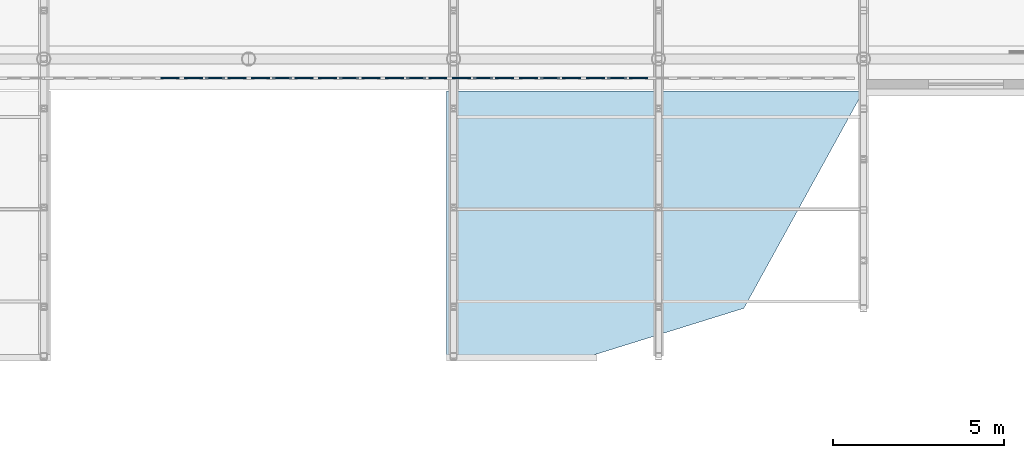
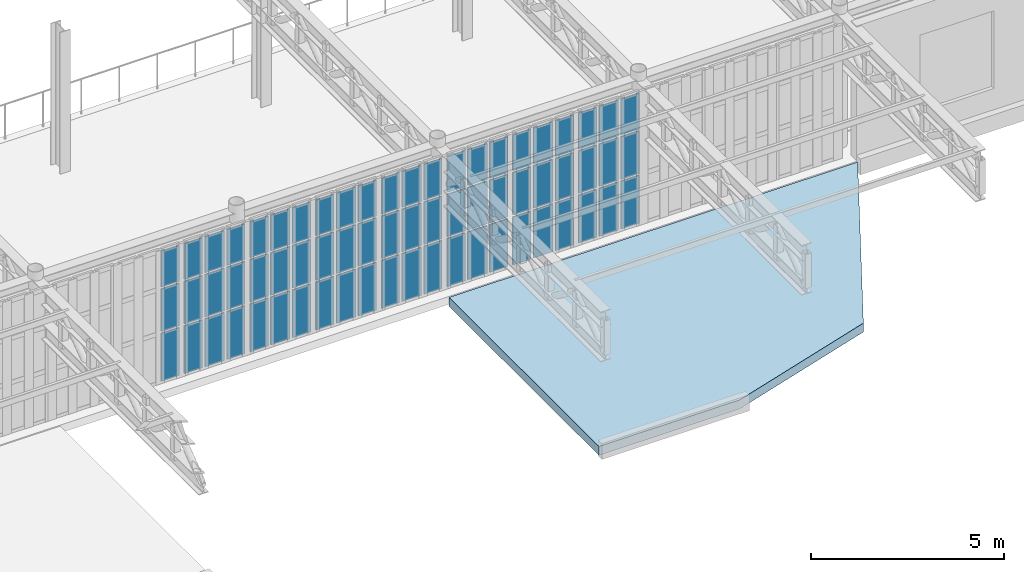
# One storey, part 50 of 91: 66 plates, 1 slab, 8 elements without a shape of their own.
"""IFC4 building model written with IfcOpenShell, lengths in metres."""

from ifc_helpers import new_model, si_unit, direction, frame, origin, origin_2d, place, context, subcontext, project, spatial, polyline, rectangle, outline, extrude, material, layer, layer_set, type_object, element, aggregate, save


model = new_model("IFC4")

# Units and contexts
model_context = context("Model", 3, precision=1e-05, world=origin(), true_north=direction((0.0, 1.0)))
body_context = subcontext(model_context, "Body", "Model", "MODEL_VIEW")
ifc_project = project(units=[si_unit("LENGTHUNIT", "METRE"), si_unit("AREAUNIT", "SQUARE_METRE"), si_unit("VOLUMEUNIT", "CUBIC_METRE"), si_unit("PLANEANGLEUNIT", "RADIAN"), si_unit("MASSUNIT", "GRAM", prefix="KILO")], contexts=[model_context])

# Site, building, storey
site_placement = place(None, origin())
site = spatial("IfcSite", under=ifc_project, at=site_placement, CompositionType="ELEMENT")
building_placement = place(site_placement, origin())
building = spatial("IfcBuilding", under=site, at=building_placement, Name="Kolvaren Corner Interchange", CompositionType="ELEMENT")
storey_placement = place(building_placement, frame((0.0, 0.0, 6.0)))
storey = spatial("IfcBuildingStorey", under=building, at=storey_placement, Name="L02", CompositionType="ELEMENT", Elevation=6.0)

# Curtain wall, plates
ifc_material_1 = material(Name="Unitised Aluminium and Solar-Control Glass Curtain Wall", Category="aluminium")
curtain_wall_type = type_object("IfcCurtainWallType", Name="CW-V1-MEZZ", PredefinedType="NOTDEFINED", material=ifc_material_1)
curtain_wall_1_placement = place(storey_placement, origin())
curtain_wall_1 = element("IfcCurtainWall", 1, at=curtain_wall_1_placement, inside=storey, type_object=curtain_wall_type, Name="South Portal Mezzanine Curtain Wall Bay 08", PredefinedType="NOTDEFINED")
ifc_material_2 = material(Name="Low-E Solar-Control Laminated Glass", Category="glass")
ifc_layer_1 = layer(ifc_material_2, 0.035888671875)
ifc_layer_set_1 = layer_set([ifc_layer_1], Name="Low-E Solar-Control Laminated Glass")
plate_type = type_object("IfcPlateType", Name="PLT-CW-GL32", PredefinedType="CURTAIN_PANEL", material=ifc_layer_set_1)
plate_1_placement = place(storey_placement, frame((87.693359375, 24.340087890625, 0.06005859375), z_axis=(0.0, 0.0, 1.0), x_axis=(1.0, 0.0, 0.0)))
plate_1 = element("IfcPlate", 2, at=plate_1_placement, type_object=plate_type, Name="CW-026 panel 3.1", PredefinedType="CURTAIN_PANEL", context=body_context, shape_type="SweptSolid", body=[
    extrude(rectangle(XDim=0.541259765625, YDim=0.035888671875, at=origin_2d()), origin(), (0.0, 0.0, 1.0), 1.510009765625),
])
plate_2_placement = place(storey_placement, frame((87.693359375, 24.340087890625, 1.6298828125), z_axis=(0.0, 0.0, 1.0), x_axis=(1.0, 0.0, 0.0)))
plate_2 = element("IfcPlate", 3, at=plate_2_placement, type_object=plate_type, Name="CW-026 panel 3.2", PredefinedType="CURTAIN_PANEL", context=body_context, shape_type="SweptSolid", body=[
    extrude(rectangle(XDim=0.541259765625, YDim=0.035888671875, at=origin_2d()), origin(), (0.0, 0.0, 1.0), 1.340087890625),
])
plate_3_placement = place(storey_placement, frame((87.693359375, 24.340087890625, 3.030029296875), z_axis=(0.0, 0.0, 1.0), x_axis=(1.0, 0.0, 0.0)))
plate_3 = element("IfcPlate", 4, at=plate_3_placement, type_object=plate_type, Name="CW-026 panel 3.3", PredefinedType="CURTAIN_PANEL", context=body_context, shape_type="SweptSolid", body=[
    extrude(rectangle(XDim=0.541259765625, YDim=0.035888671875, at=origin_2d()), origin(), (0.0, 0.0, 1.0), 1.1298828125),
])
aggregate(curtain_wall_1, [plate_1, plate_2, plate_3])

curtain_wall_2_placement = place(storey_placement, origin())
curtain_wall_2 = element("IfcCurtainWall", 5, at=curtain_wall_2_placement, inside=storey, type_object=curtain_wall_type, Name="South Portal Mezzanine Curtain Wall Bay 09", PredefinedType="NOTDEFINED")
plate_4_placement = place(storey_placement, frame((88.384521484375, 24.340087890625, 0.06005859375), z_axis=(0.0, 0.0, 1.0), x_axis=(1.0, 0.0, 0.0)))
plate_4 = element("IfcPlate", 6, at=plate_4_placement, type_object=plate_type, Name="CW-027 panel 1.1", PredefinedType="CURTAIN_PANEL", context=body_context, shape_type="SweptSolid", body=[
    extrude(rectangle(XDim=0.541259765625, YDim=0.035888671875, at=origin_2d()), origin(), (0.0, 0.0, 1.0), 1.510009765625),
])
plate_5_placement = place(storey_placement, frame((88.384521484375, 24.340087890625, 1.6298828125), z_axis=(0.0, 0.0, 1.0), x_axis=(1.0, 0.0, 0.0)))
plate_5 = element("IfcPlate", 7, at=plate_5_placement, type_object=plate_type, Name="CW-027 panel 1.2", PredefinedType="CURTAIN_PANEL", context=body_context, shape_type="SweptSolid", body=[
    extrude(rectangle(XDim=0.541259765625, YDim=0.035888671875, at=origin_2d()), origin(), (0.0, 0.0, 1.0), 1.340087890625),
])
plate_6_placement = place(storey_placement, frame((88.384521484375, 24.340087890625, 3.030029296875), z_axis=(0.0, 0.0, 1.0), x_axis=(1.0, 0.0, 0.0)))
plate_6 = element("IfcPlate", 8, at=plate_6_placement, type_object=plate_type, Name="CW-027 panel 1.3", PredefinedType="CURTAIN_PANEL", context=body_context, shape_type="SweptSolid", body=[
    extrude(rectangle(XDim=0.541259765625, YDim=0.035888671875, at=origin_2d()), origin(), (0.0, 0.0, 1.0), 1.1298828125),
])
plate_7_placement = place(storey_placement, frame((89.01953125, 24.340087890625, 0.06005859375), z_axis=(0.0, 0.0, 1.0), x_axis=(1.0, 0.0, 0.0)))
plate_7 = element("IfcPlate", 9, at=plate_7_placement, type_object=plate_type, Name="CW-027 panel 2.1", PredefinedType="CURTAIN_PANEL", context=body_context, shape_type="SweptSolid", body=[
    extrude(rectangle(XDim=0.57861328125, YDim=0.035888671875, at=origin_2d()), origin(), (0.0, 0.0, 1.0), 1.510009765625),
])
plate_8_placement = place(storey_placement, frame((89.01953125, 24.340087890625, 1.6298828125), z_axis=(0.0, 0.0, 1.0), x_axis=(1.0, 0.0, 0.0)))
plate_8 = element("IfcPlate", 10, at=plate_8_placement, type_object=plate_type, Name="CW-027 panel 2.2", PredefinedType="CURTAIN_PANEL", context=body_context, shape_type="SweptSolid", body=[
    extrude(rectangle(XDim=0.57861328125, YDim=0.035888671875, at=origin_2d()), origin(), (0.0, 0.0, 1.0), 1.340087890625),
])
plate_9_placement = place(storey_placement, frame((89.01953125, 24.340087890625, 3.030029296875), z_axis=(0.0, 0.0, 1.0), x_axis=(1.0, 0.0, 0.0)))
plate_9 = element("IfcPlate", 11, at=plate_9_placement, type_object=plate_type, Name="CW-027 panel 2.3", PredefinedType="CURTAIN_PANEL", context=body_context, shape_type="SweptSolid", body=[
    extrude(rectangle(XDim=0.57861328125, YDim=0.035888671875, at=origin_2d()), origin(), (0.0, 0.0, 1.0), 1.1298828125),
])
plate_10_placement = place(storey_placement, frame((89.654296875, 24.340087890625, 0.06005859375), z_axis=(0.0, 0.0, 1.0), x_axis=(1.0, 0.0, 0.0)))
plate_10 = element("IfcPlate", 12, at=plate_10_placement, type_object=plate_type, Name="CW-027 panel 3.1", PredefinedType="CURTAIN_PANEL", context=body_context, shape_type="SweptSolid", body=[
    extrude(rectangle(XDim=0.541259765625, YDim=0.035888671875, at=origin_2d()), origin(), (0.0, 0.0, 1.0), 1.510009765625),
])
plate_11_placement = place(storey_placement, frame((89.654296875, 24.340087890625, 1.6298828125), z_axis=(0.0, 0.0, 1.0), x_axis=(1.0, 0.0, 0.0)))
plate_11 = element("IfcPlate", 13, at=plate_11_placement, type_object=plate_type, Name="CW-027 panel 3.2", PredefinedType="CURTAIN_PANEL", context=body_context, shape_type="SweptSolid", body=[
    extrude(rectangle(XDim=0.541259765625, YDim=0.035888671875, at=origin_2d()), origin(), (0.0, 0.0, 1.0), 1.340087890625),
])
plate_12_placement = place(storey_placement, frame((89.654296875, 24.340087890625, 3.030029296875), z_axis=(0.0, 0.0, 1.0), x_axis=(1.0, 0.0, 0.0)))
plate_12 = element("IfcPlate", 14, at=plate_12_placement, type_object=plate_type, Name="CW-027 panel 3.3", PredefinedType="CURTAIN_PANEL", context=body_context, shape_type="SweptSolid", body=[
    extrude(rectangle(XDim=0.541259765625, YDim=0.035888671875, at=origin_2d()), origin(), (0.0, 0.0, 1.0), 1.1298828125),
])
aggregate(curtain_wall_2, [plate_4, plate_5, plate_6, plate_7, plate_8, plate_9, plate_10, plate_11, plate_12])

curtain_wall_3_placement = place(storey_placement, origin())
curtain_wall_3 = element("IfcCurtainWall", 15, at=curtain_wall_3_placement, inside=storey, type_object=curtain_wall_type, Name="South Portal Mezzanine Curtain Wall Bay 10", PredefinedType="NOTDEFINED")
plate_13_placement = place(storey_placement, frame((90.345703125, 24.340087890625, 0.06005859375), z_axis=(0.0, 0.0, 1.0), x_axis=(1.0, 0.0, 0.0)))
plate_13 = element("IfcPlate", 16, at=plate_13_placement, type_object=plate_type, Name="CW-028 panel 1.1", PredefinedType="CURTAIN_PANEL", context=body_context, shape_type="SweptSolid", body=[
    extrude(rectangle(XDim=0.541259765625, YDim=0.035888671875, at=origin_2d()), origin(), (0.0, 0.0, 1.0), 1.510009765625),
])
plate_14_placement = place(storey_placement, frame((90.345703125, 24.340087890625, 1.6298828125), z_axis=(0.0, 0.0, 1.0), x_axis=(1.0, 0.0, 0.0)))
plate_14 = element("IfcPlate", 17, at=plate_14_placement, type_object=plate_type, Name="CW-028 panel 1.2", PredefinedType="CURTAIN_PANEL", context=body_context, shape_type="SweptSolid", body=[
    extrude(rectangle(XDim=0.541259765625, YDim=0.035888671875, at=origin_2d()), origin(), (0.0, 0.0, 1.0), 1.340087890625),
])
plate_15_placement = place(storey_placement, frame((90.345703125, 24.340087890625, 3.030029296875), z_axis=(0.0, 0.0, 1.0), x_axis=(1.0, 0.0, 0.0)))
plate_15 = element("IfcPlate", 18, at=plate_15_placement, type_object=plate_type, Name="CW-028 panel 1.3", PredefinedType="CURTAIN_PANEL", context=body_context, shape_type="SweptSolid", body=[
    extrude(rectangle(XDim=0.541259765625, YDim=0.035888671875, at=origin_2d()), origin(), (0.0, 0.0, 1.0), 1.1298828125),
])
plate_16_placement = place(storey_placement, frame((90.98046875, 24.340087890625, 0.06005859375), z_axis=(0.0, 0.0, 1.0), x_axis=(1.0, 0.0, 0.0)))
plate_16 = element("IfcPlate", 19, at=plate_16_placement, type_object=plate_type, Name="CW-028 panel 2.1", PredefinedType="CURTAIN_PANEL", context=body_context, shape_type="SweptSolid", body=[
    extrude(rectangle(XDim=0.57861328125, YDim=0.035888671875, at=origin_2d()), origin(), (0.0, 0.0, 1.0), 1.510009765625),
])
plate_17_placement = place(storey_placement, frame((90.98046875, 24.340087890625, 1.6298828125), z_axis=(0.0, 0.0, 1.0), x_axis=(1.0, 0.0, 0.0)))
plate_17 = element("IfcPlate", 20, at=plate_17_placement, type_object=plate_type, Name="CW-028 panel 2.2", PredefinedType="CURTAIN_PANEL", context=body_context, shape_type="SweptSolid", body=[
    extrude(rectangle(XDim=0.57861328125, YDim=0.035888671875, at=origin_2d()), origin(), (0.0, 0.0, 1.0), 1.340087890625),
])
plate_18_placement = place(storey_placement, frame((90.98046875, 24.340087890625, 3.030029296875), z_axis=(0.0, 0.0, 1.0), x_axis=(1.0, 0.0, 0.0)))
plate_18 = element("IfcPlate", 21, at=plate_18_placement, type_object=plate_type, Name="CW-028 panel 2.3", PredefinedType="CURTAIN_PANEL", context=body_context, shape_type="SweptSolid", body=[
    extrude(rectangle(XDim=0.57861328125, YDim=0.035888671875, at=origin_2d()), origin(), (0.0, 0.0, 1.0), 1.1298828125),
])
plate_19_placement = place(storey_placement, frame((91.615478515625, 24.340087890625, 0.06005859375), z_axis=(0.0, 0.0, 1.0), x_axis=(1.0, 0.0, 0.0)))
plate_19 = element("IfcPlate", 22, at=plate_19_placement, type_object=plate_type, Name="CW-028 panel 3.1", PredefinedType="CURTAIN_PANEL", context=body_context, shape_type="SweptSolid", body=[
    extrude(rectangle(XDim=0.541259765625, YDim=0.035888671875, at=origin_2d()), origin(), (0.0, 0.0, 1.0), 1.510009765625),
])
plate_20_placement = place(storey_placement, frame((91.615478515625, 24.340087890625, 1.6298828125), z_axis=(0.0, 0.0, 1.0), x_axis=(1.0, 0.0, 0.0)))
plate_20 = element("IfcPlate", 23, at=plate_20_placement, type_object=plate_type, Name="CW-028 panel 3.2", PredefinedType="CURTAIN_PANEL", context=body_context, shape_type="SweptSolid", body=[
    extrude(rectangle(XDim=0.541259765625, YDim=0.035888671875, at=origin_2d()), origin(), (0.0, 0.0, 1.0), 1.340087890625),
])
plate_21_placement = place(storey_placement, frame((91.615478515625, 24.340087890625, 3.030029296875), z_axis=(0.0, 0.0, 1.0), x_axis=(1.0, 0.0, 0.0)))
plate_21 = element("IfcPlate", 24, at=plate_21_placement, type_object=plate_type, Name="CW-028 panel 3.3", PredefinedType="CURTAIN_PANEL", context=body_context, shape_type="SweptSolid", body=[
    extrude(rectangle(XDim=0.541259765625, YDim=0.035888671875, at=origin_2d()), origin(), (0.0, 0.0, 1.0), 1.1298828125),
])
aggregate(curtain_wall_3, [plate_13, plate_14, plate_15, plate_16, plate_17, plate_18, plate_19, plate_20, plate_21])

curtain_wall_4_placement = place(storey_placement, origin())
curtain_wall_4 = element("IfcCurtainWall", 25, at=curtain_wall_4_placement, inside=storey, type_object=curtain_wall_type, Name="South Portal Mezzanine Curtain Wall Bay 11", PredefinedType="NOTDEFINED")
plate_22_placement = place(storey_placement, frame((92.306640625, 24.340087890625, 0.06005859375), z_axis=(0.0, 0.0, 1.0), x_axis=(1.0, 0.0, 0.0)))
plate_22 = element("IfcPlate", 26, at=plate_22_placement, type_object=plate_type, Name="CW-029 panel 1.1", PredefinedType="CURTAIN_PANEL", context=body_context, shape_type="SweptSolid", body=[
    extrude(rectangle(XDim=0.541259765625, YDim=0.035888671875, at=origin_2d()), origin(), (0.0, 0.0, 1.0), 1.510009765625),
])
plate_23_placement = place(storey_placement, frame((92.306640625, 24.340087890625, 1.6298828125), z_axis=(0.0, 0.0, 1.0), x_axis=(1.0, 0.0, 0.0)))
plate_23 = element("IfcPlate", 27, at=plate_23_placement, type_object=plate_type, Name="CW-029 panel 1.2", PredefinedType="CURTAIN_PANEL", context=body_context, shape_type="SweptSolid", body=[
    extrude(rectangle(XDim=0.541259765625, YDim=0.035888671875, at=origin_2d()), origin(), (0.0, 0.0, 1.0), 1.340087890625),
])
plate_24_placement = place(storey_placement, frame((92.306640625, 24.340087890625, 3.030029296875), z_axis=(0.0, 0.0, 1.0), x_axis=(1.0, 0.0, 0.0)))
plate_24 = element("IfcPlate", 28, at=plate_24_placement, type_object=plate_type, Name="CW-029 panel 1.3", PredefinedType="CURTAIN_PANEL", context=body_context, shape_type="SweptSolid", body=[
    extrude(rectangle(XDim=0.541259765625, YDim=0.035888671875, at=origin_2d()), origin(), (0.0, 0.0, 1.0), 1.1298828125),
])
plate_25_placement = place(storey_placement, frame((92.941650390625, 24.340087890625, 0.06005859375), z_axis=(0.0, 0.0, 1.0), x_axis=(1.0, 0.0, 0.0)))
plate_25 = element("IfcPlate", 29, at=plate_25_placement, type_object=plate_type, Name="CW-029 panel 2.1", PredefinedType="CURTAIN_PANEL", context=body_context, shape_type="SweptSolid", body=[
    extrude(rectangle(XDim=0.57861328125, YDim=0.035888671875, at=origin_2d()), origin(), (0.0, 0.0, 1.0), 1.510009765625),
])
plate_26_placement = place(storey_placement, frame((92.941650390625, 24.340087890625, 1.6298828125), z_axis=(0.0, 0.0, 1.0), x_axis=(1.0, 0.0, 0.0)))
plate_26 = element("IfcPlate", 30, at=plate_26_placement, type_object=plate_type, Name="CW-029 panel 2.2", PredefinedType="CURTAIN_PANEL", context=body_context, shape_type="SweptSolid", body=[
    extrude(rectangle(XDim=0.57861328125, YDim=0.035888671875, at=origin_2d()), origin(), (0.0, 0.0, 1.0), 1.340087890625),
])
plate_27_placement = place(storey_placement, frame((92.941650390625, 24.340087890625, 3.030029296875), z_axis=(0.0, 0.0, 1.0), x_axis=(1.0, 0.0, 0.0)))
plate_27 = element("IfcPlate", 31, at=plate_27_placement, type_object=plate_type, Name="CW-029 panel 2.3", PredefinedType="CURTAIN_PANEL", context=body_context, shape_type="SweptSolid", body=[
    extrude(rectangle(XDim=0.57861328125, YDim=0.035888671875, at=origin_2d()), origin(), (0.0, 0.0, 1.0), 1.1298828125),
])
plate_28_placement = place(storey_placement, frame((93.57666015625, 24.340087890625, 0.06005859375), z_axis=(0.0, 0.0, 1.0), x_axis=(1.0, 0.0, 0.0)))
plate_28 = element("IfcPlate", 32, at=plate_28_placement, type_object=plate_type, Name="CW-029 panel 3.1", PredefinedType="CURTAIN_PANEL", context=body_context, shape_type="SweptSolid", body=[
    extrude(rectangle(XDim=0.541259765625, YDim=0.035888671875, at=origin_2d()), origin(), (0.0, 0.0, 1.0), 1.510009765625),
])
plate_29_placement = place(storey_placement, frame((93.57666015625, 24.340087890625, 1.6298828125), z_axis=(0.0, 0.0, 1.0), x_axis=(1.0, 0.0, 0.0)))
plate_29 = element("IfcPlate", 33, at=plate_29_placement, type_object=plate_type, Name="CW-029 panel 3.2", PredefinedType="CURTAIN_PANEL", context=body_context, shape_type="SweptSolid", body=[
    extrude(rectangle(XDim=0.541259765625, YDim=0.035888671875, at=origin_2d()), origin(), (0.0, 0.0, 1.0), 1.340087890625),
])
plate_30_placement = place(storey_placement, frame((93.57666015625, 24.340087890625, 3.030029296875), z_axis=(0.0, 0.0, 1.0), x_axis=(1.0, 0.0, 0.0)))
plate_30 = element("IfcPlate", 34, at=plate_30_placement, type_object=plate_type, Name="CW-029 panel 3.3", PredefinedType="CURTAIN_PANEL", context=body_context, shape_type="SweptSolid", body=[
    extrude(rectangle(XDim=0.541259765625, YDim=0.035888671875, at=origin_2d()), origin(), (0.0, 0.0, 1.0), 1.1298828125),
])
aggregate(curtain_wall_4, [plate_22, plate_23, plate_24, plate_25, plate_26, plate_27, plate_28, plate_29, plate_30])

curtain_wall_5_placement = place(storey_placement, origin())
curtain_wall_5 = element("IfcCurtainWall", 35, at=curtain_wall_5_placement, inside=storey, type_object=curtain_wall_type, Name="South Portal Mezzanine Curtain Wall Bay 12", PredefinedType="NOTDEFINED")
plate_31_placement = place(storey_placement, frame((94.267822265625, 24.340087890625, 0.06005859375), z_axis=(0.0, 0.0, 1.0), x_axis=(1.0, 0.0, 0.0)))
plate_31 = element("IfcPlate", 36, at=plate_31_placement, type_object=plate_type, Name="CW-030 panel 1.1", PredefinedType="CURTAIN_PANEL", context=body_context, shape_type="SweptSolid", body=[
    extrude(rectangle(XDim=0.541259765625, YDim=0.035888671875, at=origin_2d()), origin(), (0.0, 0.0, 1.0), 1.510009765625),
])
plate_32_placement = place(storey_placement, frame((94.267822265625, 24.340087890625, 1.6298828125), z_axis=(0.0, 0.0, 1.0), x_axis=(1.0, 0.0, 0.0)))
plate_32 = element("IfcPlate", 37, at=plate_32_placement, type_object=plate_type, Name="CW-030 panel 1.2", PredefinedType="CURTAIN_PANEL", context=body_context, shape_type="SweptSolid", body=[
    extrude(rectangle(XDim=0.541259765625, YDim=0.035888671875, at=origin_2d()), origin(), (0.0, 0.0, 1.0), 1.340087890625),
])
plate_33_placement = place(storey_placement, frame((94.267822265625, 24.340087890625, 3.030029296875), z_axis=(0.0, 0.0, 1.0), x_axis=(1.0, 0.0, 0.0)))
plate_33 = element("IfcPlate", 38, at=plate_33_placement, type_object=plate_type, Name="CW-030 panel 1.3", PredefinedType="CURTAIN_PANEL", context=body_context, shape_type="SweptSolid", body=[
    extrude(rectangle(XDim=0.541259765625, YDim=0.035888671875, at=origin_2d()), origin(), (0.0, 0.0, 1.0), 1.1298828125),
])
plate_34_placement = place(storey_placement, frame((94.90283203125, 24.340087890625, 0.06005859375), z_axis=(0.0, 0.0, 1.0), x_axis=(1.0, 0.0, 0.0)))
plate_34 = element("IfcPlate", 39, at=plate_34_placement, type_object=plate_type, Name="CW-030 panel 2.1", PredefinedType="CURTAIN_PANEL", context=body_context, shape_type="SweptSolid", body=[
    extrude(rectangle(XDim=0.57861328125, YDim=0.035888671875, at=origin_2d()), origin(), (0.0, 0.0, 1.0), 1.510009765625),
])
plate_35_placement = place(storey_placement, frame((94.90283203125, 24.340087890625, 1.6298828125), z_axis=(0.0, 0.0, 1.0), x_axis=(1.0, 0.0, 0.0)))
plate_35 = element("IfcPlate", 40, at=plate_35_placement, type_object=plate_type, Name="CW-030 panel 2.2", PredefinedType="CURTAIN_PANEL", context=body_context, shape_type="SweptSolid", body=[
    extrude(rectangle(XDim=0.57861328125, YDim=0.035888671875, at=origin_2d()), origin(), (0.0, 0.0, 1.0), 1.340087890625),
])
plate_36_placement = place(storey_placement, frame((94.90283203125, 24.340087890625, 3.030029296875), z_axis=(0.0, 0.0, 1.0), x_axis=(1.0, 0.0, 0.0)))
plate_36 = element("IfcPlate", 41, at=plate_36_placement, type_object=plate_type, Name="CW-030 panel 2.3", PredefinedType="CURTAIN_PANEL", context=body_context, shape_type="SweptSolid", body=[
    extrude(rectangle(XDim=0.57861328125, YDim=0.035888671875, at=origin_2d()), origin(), (0.0, 0.0, 1.0), 1.1298828125),
])
plate_37_placement = place(storey_placement, frame((95.53759765625, 24.340087890625, 0.06005859375), z_axis=(0.0, 0.0, 1.0), x_axis=(1.0, 0.0, 0.0)))
plate_37 = element("IfcPlate", 42, at=plate_37_placement, type_object=plate_type, Name="CW-030 panel 3.1", PredefinedType="CURTAIN_PANEL", context=body_context, shape_type="SweptSolid", body=[
    extrude(rectangle(XDim=0.541259765625, YDim=0.035888671875, at=origin_2d()), origin(), (0.0, 0.0, 1.0), 1.510009765625),
])
plate_38_placement = place(storey_placement, frame((95.53759765625, 24.340087890625, 1.6298828125), z_axis=(0.0, 0.0, 1.0), x_axis=(1.0, 0.0, 0.0)))
plate_38 = element("IfcPlate", 43, at=plate_38_placement, type_object=plate_type, Name="CW-030 panel 3.2", PredefinedType="CURTAIN_PANEL", context=body_context, shape_type="SweptSolid", body=[
    extrude(rectangle(XDim=0.541259765625, YDim=0.035888671875, at=origin_2d()), origin(), (0.0, 0.0, 1.0), 1.340087890625),
])
plate_39_placement = place(storey_placement, frame((95.53759765625, 24.340087890625, 3.030029296875), z_axis=(0.0, 0.0, 1.0), x_axis=(1.0, 0.0, 0.0)))
plate_39 = element("IfcPlate", 44, at=plate_39_placement, type_object=plate_type, Name="CW-030 panel 3.3", PredefinedType="CURTAIN_PANEL", context=body_context, shape_type="SweptSolid", body=[
    extrude(rectangle(XDim=0.541259765625, YDim=0.035888671875, at=origin_2d()), origin(), (0.0, 0.0, 1.0), 1.1298828125),
])
aggregate(curtain_wall_5, [plate_31, plate_32, plate_33, plate_34, plate_35, plate_36, plate_37, plate_38, plate_39])

curtain_wall_6_placement = place(storey_placement, origin())
curtain_wall_6 = element("IfcCurtainWall", 45, at=curtain_wall_6_placement, inside=storey, type_object=curtain_wall_type, Name="South Portal Mezzanine Curtain Wall Bay 13", PredefinedType="NOTDEFINED")
plate_40_placement = place(storey_placement, frame((96.22900390625, 24.340087890625, 0.06005859375), z_axis=(0.0, 0.0, 1.0), x_axis=(1.0, 0.0, 0.0)))
plate_40 = element("IfcPlate", 46, at=plate_40_placement, type_object=plate_type, Name="CW-031 panel 1.1", PredefinedType="CURTAIN_PANEL", context=body_context, shape_type="SweptSolid", body=[
    extrude(rectangle(XDim=0.541259765625, YDim=0.035888671875, at=origin_2d()), origin(), (0.0, 0.0, 1.0), 1.510009765625),
])
plate_41_placement = place(storey_placement, frame((96.22900390625, 24.340087890625, 1.6298828125), z_axis=(0.0, 0.0, 1.0), x_axis=(1.0, 0.0, 0.0)))
plate_41 = element("IfcPlate", 47, at=plate_41_placement, type_object=plate_type, Name="CW-031 panel 1.2", PredefinedType="CURTAIN_PANEL", context=body_context, shape_type="SweptSolid", body=[
    extrude(rectangle(XDim=0.541259765625, YDim=0.035888671875, at=origin_2d()), origin(), (0.0, 0.0, 1.0), 1.340087890625),
])
plate_42_placement = place(storey_placement, frame((96.22900390625, 24.340087890625, 3.030029296875), z_axis=(0.0, 0.0, 1.0), x_axis=(1.0, 0.0, 0.0)))
plate_42 = element("IfcPlate", 48, at=plate_42_placement, type_object=plate_type, Name="CW-031 panel 1.3", PredefinedType="CURTAIN_PANEL", context=body_context, shape_type="SweptSolid", body=[
    extrude(rectangle(XDim=0.541259765625, YDim=0.035888671875, at=origin_2d()), origin(), (0.0, 0.0, 1.0), 1.1298828125),
])
plate_43_placement = place(storey_placement, frame((96.86376953125, 24.340087890625, 0.06005859375), z_axis=(0.0, 0.0, 1.0), x_axis=(1.0, 0.0, 0.0)))
plate_43 = element("IfcPlate", 49, at=plate_43_placement, type_object=plate_type, Name="CW-031 panel 2.1", PredefinedType="CURTAIN_PANEL", context=body_context, shape_type="SweptSolid", body=[
    extrude(rectangle(XDim=0.57861328125, YDim=0.035888671875, at=origin_2d()), origin(), (0.0, 0.0, 1.0), 1.510009765625),
])
plate_44_placement = place(storey_placement, frame((96.86376953125, 24.340087890625, 1.6298828125), z_axis=(0.0, 0.0, 1.0), x_axis=(1.0, 0.0, 0.0)))
plate_44 = element("IfcPlate", 50, at=plate_44_placement, type_object=plate_type, Name="CW-031 panel 2.2", PredefinedType="CURTAIN_PANEL", context=body_context, shape_type="SweptSolid", body=[
    extrude(rectangle(XDim=0.57861328125, YDim=0.035888671875, at=origin_2d()), origin(), (0.0, 0.0, 1.0), 1.340087890625),
])
plate_45_placement = place(storey_placement, frame((96.86376953125, 24.340087890625, 3.030029296875), z_axis=(0.0, 0.0, 1.0), x_axis=(1.0, 0.0, 0.0)))
plate_45 = element("IfcPlate", 51, at=plate_45_placement, type_object=plate_type, Name="CW-031 panel 2.3", PredefinedType="CURTAIN_PANEL", context=body_context, shape_type="SweptSolid", body=[
    extrude(rectangle(XDim=0.57861328125, YDim=0.035888671875, at=origin_2d()), origin(), (0.0, 0.0, 1.0), 1.1298828125),
])
plate_46_placement = place(storey_placement, frame((97.498779296875, 24.340087890625, 0.06005859375), z_axis=(0.0, 0.0, 1.0), x_axis=(1.0, 0.0, 0.0)))
plate_46 = element("IfcPlate", 52, at=plate_46_placement, type_object=plate_type, Name="CW-031 panel 3.1", PredefinedType="CURTAIN_PANEL", context=body_context, shape_type="SweptSolid", body=[
    extrude(rectangle(XDim=0.541259765625, YDim=0.035888671875, at=origin_2d()), origin(), (0.0, 0.0, 1.0), 1.510009765625),
])
plate_47_placement = place(storey_placement, frame((97.498779296875, 24.340087890625, 1.6298828125), z_axis=(0.0, 0.0, 1.0), x_axis=(1.0, 0.0, 0.0)))
plate_47 = element("IfcPlate", 53, at=plate_47_placement, type_object=plate_type, Name="CW-031 panel 3.2", PredefinedType="CURTAIN_PANEL", context=body_context, shape_type="SweptSolid", body=[
    extrude(rectangle(XDim=0.541259765625, YDim=0.035888671875, at=origin_2d()), origin(), (0.0, 0.0, 1.0), 1.340087890625),
])
plate_48_placement = place(storey_placement, frame((97.498779296875, 24.340087890625, 3.030029296875), z_axis=(0.0, 0.0, 1.0), x_axis=(1.0, 0.0, 0.0)))
plate_48 = element("IfcPlate", 54, at=plate_48_placement, type_object=plate_type, Name="CW-031 panel 3.3", PredefinedType="CURTAIN_PANEL", context=body_context, shape_type="SweptSolid", body=[
    extrude(rectangle(XDim=0.541259765625, YDim=0.035888671875, at=origin_2d()), origin(), (0.0, 0.0, 1.0), 1.1298828125),
])
aggregate(curtain_wall_6, [plate_40, plate_41, plate_42, plate_43, plate_44, plate_45, plate_46, plate_47, plate_48])

curtain_wall_7_placement = place(storey_placement, origin())
curtain_wall_7 = element("IfcCurtainWall", 55, at=curtain_wall_7_placement, inside=storey, type_object=curtain_wall_type, Name="South Portal Mezzanine Curtain Wall Bay 14", PredefinedType="NOTDEFINED")
plate_49_placement = place(storey_placement, frame((98.18994140625, 24.340087890625, 0.06005859375), z_axis=(0.0, 0.0, 1.0), x_axis=(1.0, 0.0, 0.0)))
plate_49 = element("IfcPlate", 56, at=plate_49_placement, type_object=plate_type, Name="CW-032 panel 1.1", PredefinedType="CURTAIN_PANEL", context=body_context, shape_type="SweptSolid", body=[
    extrude(rectangle(XDim=0.541259765625, YDim=0.035888671875, at=origin_2d()), origin(), (0.0, 0.0, 1.0), 1.510009765625),
])
plate_50_placement = place(storey_placement, frame((98.18994140625, 24.340087890625, 1.6298828125), z_axis=(0.0, 0.0, 1.0), x_axis=(1.0, 0.0, 0.0)))
plate_50 = element("IfcPlate", 57, at=plate_50_placement, type_object=plate_type, Name="CW-032 panel 1.2", PredefinedType="CURTAIN_PANEL", context=body_context, shape_type="SweptSolid", body=[
    extrude(rectangle(XDim=0.541259765625, YDim=0.035888671875, at=origin_2d()), origin(), (0.0, 0.0, 1.0), 1.340087890625),
])
plate_51_placement = place(storey_placement, frame((98.18994140625, 24.340087890625, 3.030029296875), z_axis=(0.0, 0.0, 1.0), x_axis=(1.0, 0.0, 0.0)))
plate_51 = element("IfcPlate", 58, at=plate_51_placement, type_object=plate_type, Name="CW-032 panel 1.3", PredefinedType="CURTAIN_PANEL", context=body_context, shape_type="SweptSolid", body=[
    extrude(rectangle(XDim=0.541259765625, YDim=0.035888671875, at=origin_2d()), origin(), (0.0, 0.0, 1.0), 1.1298828125),
])
plate_52_placement = place(storey_placement, frame((98.824951171875, 24.340087890625, 0.06005859375), z_axis=(0.0, 0.0, 1.0), x_axis=(1.0, 0.0, 0.0)))
plate_52 = element("IfcPlate", 59, at=plate_52_placement, type_object=plate_type, Name="CW-032 panel 2.1", PredefinedType="CURTAIN_PANEL", context=body_context, shape_type="SweptSolid", body=[
    extrude(rectangle(XDim=0.57861328125, YDim=0.035888671875, at=origin_2d()), origin(), (0.0, 0.0, 1.0), 1.510009765625),
])
plate_53_placement = place(storey_placement, frame((98.824951171875, 24.340087890625, 1.6298828125), z_axis=(0.0, 0.0, 1.0), x_axis=(1.0, 0.0, 0.0)))
plate_53 = element("IfcPlate", 60, at=plate_53_placement, type_object=plate_type, Name="CW-032 panel 2.2", PredefinedType="CURTAIN_PANEL", context=body_context, shape_type="SweptSolid", body=[
    extrude(rectangle(XDim=0.57861328125, YDim=0.035888671875, at=origin_2d()), origin(), (0.0, 0.0, 1.0), 1.340087890625),
])
plate_54_placement = place(storey_placement, frame((98.824951171875, 24.340087890625, 3.030029296875), z_axis=(0.0, 0.0, 1.0), x_axis=(1.0, 0.0, 0.0)))
plate_54 = element("IfcPlate", 61, at=plate_54_placement, type_object=plate_type, Name="CW-032 panel 2.3", PredefinedType="CURTAIN_PANEL", context=body_context, shape_type="SweptSolid", body=[
    extrude(rectangle(XDim=0.57861328125, YDim=0.035888671875, at=origin_2d()), origin(), (0.0, 0.0, 1.0), 1.1298828125),
])
plate_55_placement = place(storey_placement, frame((99.4599609375, 24.340087890625, 0.06005859375), z_axis=(0.0, 0.0, 1.0), x_axis=(1.0, 0.0, 0.0)))
plate_55 = element("IfcPlate", 62, at=plate_55_placement, type_object=plate_type, Name="CW-032 panel 3.1", PredefinedType="CURTAIN_PANEL", context=body_context, shape_type="SweptSolid", body=[
    extrude(rectangle(XDim=0.541259765625, YDim=0.035888671875, at=origin_2d()), origin(), (0.0, 0.0, 1.0), 1.510009765625),
])
plate_56_placement = place(storey_placement, frame((99.4599609375, 24.340087890625, 1.6298828125), z_axis=(0.0, 0.0, 1.0), x_axis=(1.0, 0.0, 0.0)))
plate_56 = element("IfcPlate", 63, at=plate_56_placement, type_object=plate_type, Name="CW-032 panel 3.2", PredefinedType="CURTAIN_PANEL", context=body_context, shape_type="SweptSolid", body=[
    extrude(rectangle(XDim=0.541259765625, YDim=0.035888671875, at=origin_2d()), origin(), (0.0, 0.0, 1.0), 1.340087890625),
])
plate_57_placement = place(storey_placement, frame((99.4599609375, 24.340087890625, 3.030029296875), z_axis=(0.0, 0.0, 1.0), x_axis=(1.0, 0.0, 0.0)))
plate_57 = element("IfcPlate", 64, at=plate_57_placement, type_object=plate_type, Name="CW-032 panel 3.3", PredefinedType="CURTAIN_PANEL", context=body_context, shape_type="SweptSolid", body=[
    extrude(rectangle(XDim=0.541259765625, YDim=0.035888671875, at=origin_2d()), origin(), (0.0, 0.0, 1.0), 1.1298828125),
])
aggregate(curtain_wall_7, [plate_49, plate_50, plate_51, plate_52, plate_53, plate_54, plate_55, plate_56, plate_57])

curtain_wall_8_placement = place(storey_placement, origin())
curtain_wall_8 = element("IfcCurtainWall", 65, at=curtain_wall_8_placement, inside=storey, type_object=curtain_wall_type, Name="South Portal Mezzanine Curtain Wall Bay 15", PredefinedType="NOTDEFINED")
plate_58_placement = place(storey_placement, frame((100.151123046875, 24.340087890625, 0.06005859375), z_axis=(0.0, 0.0, 1.0), x_axis=(1.0, 0.0, 0.0)))
plate_58 = element("IfcPlate", 66, at=plate_58_placement, type_object=plate_type, Name="CW-033 panel 1.1", PredefinedType="CURTAIN_PANEL", context=body_context, shape_type="SweptSolid", body=[
    extrude(rectangle(XDim=0.541259765625, YDim=0.035888671875, at=origin_2d()), origin(), (0.0, 0.0, 1.0), 1.510009765625),
])
plate_59_placement = place(storey_placement, frame((100.151123046875, 24.340087890625, 1.6298828125), z_axis=(0.0, 0.0, 1.0), x_axis=(1.0, 0.0, 0.0)))
plate_59 = element("IfcPlate", 67, at=plate_59_placement, type_object=plate_type, Name="CW-033 panel 1.2", PredefinedType="CURTAIN_PANEL", context=body_context, shape_type="SweptSolid", body=[
    extrude(rectangle(XDim=0.541259765625, YDim=0.035888671875, at=origin_2d()), origin(), (0.0, 0.0, 1.0), 1.340087890625),
])
plate_60_placement = place(storey_placement, frame((100.151123046875, 24.340087890625, 3.030029296875), z_axis=(0.0, 0.0, 1.0), x_axis=(1.0, 0.0, 0.0)))
plate_60 = element("IfcPlate", 68, at=plate_60_placement, type_object=plate_type, Name="CW-033 panel 1.3", PredefinedType="CURTAIN_PANEL", context=body_context, shape_type="SweptSolid", body=[
    extrude(rectangle(XDim=0.541259765625, YDim=0.035888671875, at=origin_2d()), origin(), (0.0, 0.0, 1.0), 1.1298828125),
])
plate_61_placement = place(storey_placement, frame((100.7861328125, 24.340087890625, 0.06005859375), z_axis=(0.0, 0.0, 1.0), x_axis=(1.0, 0.0, 0.0)))
plate_61 = element("IfcPlate", 69, at=plate_61_placement, type_object=plate_type, Name="CW-033 panel 2.1", PredefinedType="CURTAIN_PANEL", context=body_context, shape_type="SweptSolid", body=[
    extrude(rectangle(XDim=0.57861328125, YDim=0.035888671875, at=origin_2d()), origin(), (0.0, 0.0, 1.0), 1.510009765625),
])
plate_62_placement = place(storey_placement, frame((100.7861328125, 24.340087890625, 1.6298828125), z_axis=(0.0, 0.0, 1.0), x_axis=(1.0, 0.0, 0.0)))
plate_62 = element("IfcPlate", 70, at=plate_62_placement, type_object=plate_type, Name="CW-033 panel 2.2", PredefinedType="CURTAIN_PANEL", context=body_context, shape_type="SweptSolid", body=[
    extrude(rectangle(XDim=0.57861328125, YDim=0.035888671875, at=origin_2d()), origin(), (0.0, 0.0, 1.0), 1.340087890625),
])
plate_63_placement = place(storey_placement, frame((100.7861328125, 24.340087890625, 3.030029296875), z_axis=(0.0, 0.0, 1.0), x_axis=(1.0, 0.0, 0.0)))
plate_63 = element("IfcPlate", 71, at=plate_63_placement, type_object=plate_type, Name="CW-033 panel 2.3", PredefinedType="CURTAIN_PANEL", context=body_context, shape_type="SweptSolid", body=[
    extrude(rectangle(XDim=0.57861328125, YDim=0.035888671875, at=origin_2d()), origin(), (0.0, 0.0, 1.0), 1.1298828125),
])
plate_64_placement = place(storey_placement, frame((101.421142578125, 24.340087890625, 0.06005859375), z_axis=(0.0, 0.0, 1.0), x_axis=(1.0, 0.0, 0.0)))
plate_64 = element("IfcPlate", 72, at=plate_64_placement, type_object=plate_type, Name="CW-033 panel 3.1", PredefinedType="CURTAIN_PANEL", context=body_context, shape_type="SweptSolid", body=[
    extrude(rectangle(XDim=0.541259765625, YDim=0.035888671875, at=origin_2d()), origin(), (0.0, 0.0, 1.0), 1.510009765625),
])
plate_65_placement = place(storey_placement, frame((101.421142578125, 24.340087890625, 1.6298828125), z_axis=(0.0, 0.0, 1.0), x_axis=(1.0, 0.0, 0.0)))
plate_65 = element("IfcPlate", 73, at=plate_65_placement, type_object=plate_type, Name="CW-033 panel 3.2", PredefinedType="CURTAIN_PANEL", context=body_context, shape_type="SweptSolid", body=[
    extrude(rectangle(XDim=0.541259765625, YDim=0.035888671875, at=origin_2d()), origin(), (0.0, 0.0, 1.0), 1.340087890625),
])
plate_66_placement = place(storey_placement, frame((101.421142578125, 24.340087890625, 3.030029296875), z_axis=(0.0, 0.0, 1.0), x_axis=(1.0, 0.0, 0.0)))
plate_66 = element("IfcPlate", 74, at=plate_66_placement, type_object=plate_type, Name="CW-033 panel 3.3", PredefinedType="CURTAIN_PANEL", context=body_context, shape_type="SweptSolid", body=[
    extrude(rectangle(XDim=0.541259765625, YDim=0.035888671875, at=origin_2d()), origin(), (0.0, 0.0, 1.0), 1.1298828125),
])
aggregate(curtain_wall_8, [plate_58, plate_59, plate_60, plate_61, plate_62, plate_63, plate_64, plate_65, plate_66])

# Slab
ifc_material_3 = material(Name="White Glazed Terracotta Concrete C35/45", Category="masonry")
ifc_layer_2 = layer(ifc_material_3, 0.280029296875)
ifc_layer_set_2 = layer_set([ifc_layer_2], Name="White Glazed Terracotta Concrete C35/45")
slab_type = type_object("IfcSlabType", Name="SL-BAND-280", PredefinedType="ROOF", material=ifc_layer_set_2)
slab_placement = place(storey_placement, frame((0.0, 0.0, -0.280029296875)))
element("IfcSlab", 75, at=slab_placement, inside=storey, type_object=slab_type, Name="South Entrance Portal Level 02 East Parted Cantilever Band Slab", PredefinedType="ROOF", context=body_context, shape_type="SweptSolid", body=[
    extrude(outline(polyline([(108.0, 23.9599609375), (95.800048828125, 23.9599609375), (95.800048828125, 16.199951171875), (100.0, 16.199951171875), (104.5, 17.60009765625), (108.0, 23.9599609375)])), origin(), (0.0, 0.0, 1.0), 0.280029296875),
])

save(model, "model.ifc")
